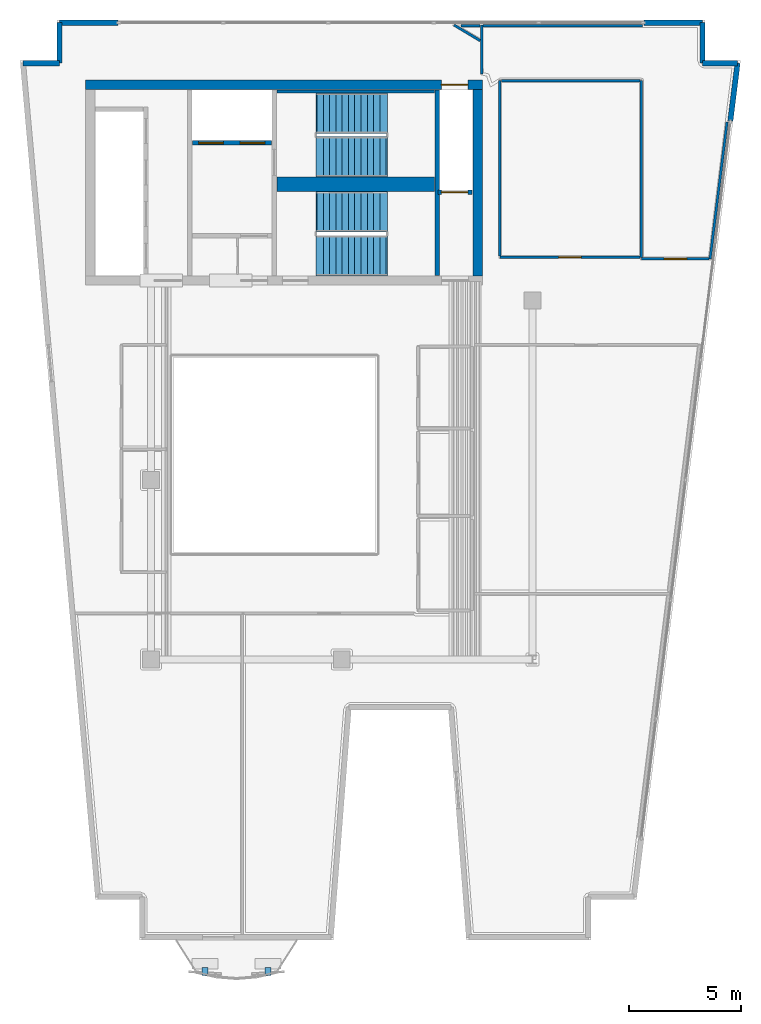
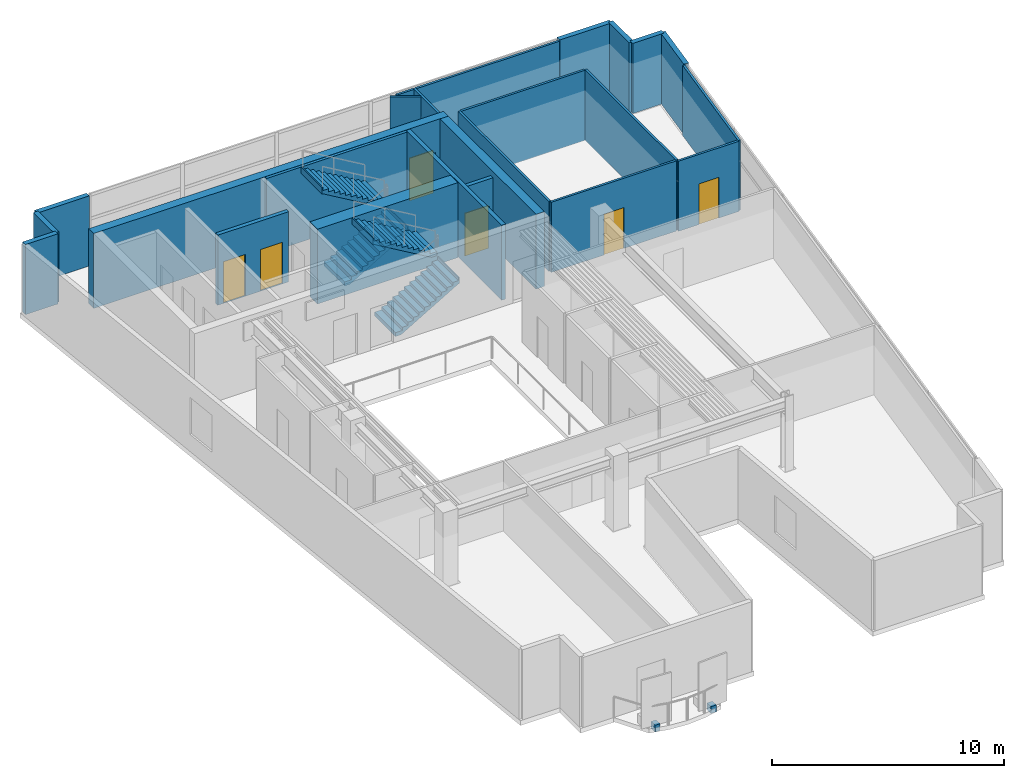
# One storey, part 5 of 7: 24 walls, 6 doors, 4 stair flights, 2 discrete accessories, 6 openings, 2 elements without a shape of their own.
"""IFC4 building model written with IfcOpenShell, lengths in metres."""

import ifcopenshell
import ifcopenshell.guid

model = None  # the IFC model being written
_history = None  # IfcOwnerHistory: only IFC2X3 demands one
_inside = {}  # id of a spatial element -> (the spatial element, [elements in it])
_under = {}  # id of a project, library or spatial element -> (it, [spatial elements below it])
_declared = {}  # id of a project -> (the project, [libraries it declares])
_typed = {}  # id of a type object -> (the type object, [elements of that type])
_made_of = {}  # id of a material, layer set ... -> (it, [elements and type objects made of it])


def new_model(schema):
    """Start an empty IFC model of exactly this schema.

    Asked for "IFC4X3", IfcOpenShell would pick the latest addendum, in which some entities
    have other attributes; the version numbers below select the first issue.
    IFC2X3 requires an IfcOwnerHistory on every rooted entity: one is made here for all.
    """
    global model, _history
    if schema == "IFC4X3":
        model = ifcopenshell.file(schema_version=(4, 3, 0, 0))
    else:
        model = ifcopenshell.file(schema=schema)
    _inside.clear()
    _under.clear()
    _declared.clear()
    _typed.clear()
    _made_of.clear()
    _history = None
    if model.schema == "IFC2X3":
        org = make("IfcOrganization", Name="unknown")
        user = make(
            "IfcPersonAndOrganization",
            ThePerson=make("IfcPerson", FamilyName="unknown"),
            TheOrganization=org,
        )
        app = make(
            "IfcApplication",
            ApplicationDeveloper=org,
            Version="unknown",
            ApplicationFullName="unknown",
            ApplicationIdentifier="unknown",
        )
        _history = make(
            "IfcOwnerHistory",
            OwningUser=user,
            OwningApplication=app,
            ChangeAction="ADDED",
            CreationDate=0,
        )
    return model


def make(cls, **values):
    """One entity of the class cls with the attributes given. An attribute that is None is left unset."""
    return model.create_entity(
        cls, **{name: value for name, value in values.items() if value is not None}
    )


def rooted(cls, **values):
    """An entity with a GlobalId (a new one), such as an element, a storey or a relation."""
    return make(cls, GlobalId=ifcopenshell.guid.new(), OwnerHistory=_history, **values)


def si_unit(unit_type, name, prefix=None):
    """IfcSIUnit, for example si_unit("LENGTHUNIT", "METRE", prefix="MILLI")."""
    return make("IfcSIUnit", UnitType=unit_type, Prefix=prefix, Name=name)


def assignment(units):
    """IfcUnitAssignment: the units of a project."""
    return None if units is None else make("IfcUnitAssignment", Units=units)


def point(xyz):
    """IfcCartesianPoint."""
    return None if xyz is None else make("IfcCartesianPoint", Coordinates=xyz)


def direction(xyz):
    """IfcDirection."""
    return None if xyz is None else make("IfcDirection", DirectionRatios=xyz)


def frame(location, z_axis=None, x_axis=None):
    """IfcAxis2Placement3D, a coordinate frame: its origin and axes. An axis left out is left unset."""
    return make(
        "IfcAxis2Placement3D",
        Location=point(location),
        Axis=direction(z_axis),
        RefDirection=direction(x_axis),
    )


def frame_2d(location, x_axis=None):
    """IfcAxis2Placement2D, a coordinate frame in the plane: its origin and x axis."""
    return make(
        "IfcAxis2Placement2D", Location=point(location), RefDirection=direction(x_axis)
    )


def origin():
    """The frame at (0, 0, 0) with its axes left unset."""
    return frame((0.0, 0.0, 0.0))


def origin_2d():
    """The frame at (0, 0) in the plane with its x axis left unset."""
    return frame_2d((0.0, 0.0))


def place(relative_to, where):
    """IfcLocalPlacement: puts the frame where relative to a parent placement (None: the world)."""
    return make(
        "IfcLocalPlacement", PlacementRelTo=relative_to, RelativePlacement=where
    )


def context(
    kind, dimensions, precision=None, world=None, true_north=None, identifier=None
):
    """IfcGeometricRepresentationContext, for example the 3D "Model" context."""
    return make(
        "IfcGeometricRepresentationContext",
        ContextIdentifier=identifier,
        ContextType=kind,
        CoordinateSpaceDimension=dimensions,
        Precision=precision,
        WorldCoordinateSystem=world,
        TrueNorth=true_north,
    )


def subcontext(parent, identifier, kind, view, scale=None):
    """IfcGeometricRepresentationSubContext, for example "Body" below "Model"."""
    return make(
        "IfcGeometricRepresentationSubContext",
        ContextIdentifier=identifier,
        ContextType=kind,
        ParentContext=parent,
        TargetScale=scale,
        TargetView=view,
    )


def project(units=None, contexts=None):
    """IfcProject with its units and contexts."""
    return rooted(
        "IfcProject",
        Name="project",
        RepresentationContexts=contexts,
        UnitsInContext=assignment(units),
    )


def spatial(cls, under=None, at=None, **own):
    """A site, building, storey or space (cls), placed at a placement, below another one or the project."""
    s = rooted(cls, ObjectPlacement=at, **own)
    if under is not None:
        _under.setdefault(under.id(), (under, []))[1].append(s)
    return s


def polyline(points):
    """IfcPolyline through the points."""
    return make("IfcPolyline", Points=[point(p) for p in points])


def profile(cls, at=None, kind="AREA", **sizes):
    """A parametric profile (cls). Its sizes go by their IFC names, for example OverallWidth=200.0."""
    return make(cls, ProfileType=kind, Position=at, **sizes)


def rectangle(**sizes):
    """IfcRectangleProfileDef."""
    return profile("IfcRectangleProfileDef", **sizes)


def outline(outer, holes=None, kind="AREA"):
    """IfcArbitraryClosedProfileDef: a profile drawn as a closed curve; with holes, ...WithVoids."""
    if holes is None:
        return make("IfcArbitraryClosedProfileDef", ProfileType=kind, OuterCurve=outer)
    return make(
        "IfcArbitraryProfileDefWithVoids",
        ProfileType=kind,
        OuterCurve=outer,
        InnerCurves=holes,
    )


def extrude(swept, where, along, depth):
    """IfcExtrudedAreaSolid: the profile swept, set in the frame where, extruded along a direction by depth."""
    return make(
        "IfcExtrudedAreaSolid",
        SweptArea=swept,
        Position=where,
        ExtrudedDirection=direction(along),
        Depth=depth,
    )


def shape(context_of_items, identifier, shape_type, items):
    """IfcShapeRepresentation: the items that make up one representation, for example the "Body"."""
    return make(
        "IfcShapeRepresentation",
        ContextOfItems=context_of_items,
        RepresentationIdentifier=identifier,
        RepresentationType=shape_type,
        Items=items,
    )


def material(Name=None, Category=None):
    """IfcMaterial."""
    return make("IfcMaterial", Name=Name, Category=Category)


def layer(
    of_material, thickness, ventilated=None, Name=None, Category=None, Priority=None
):
    """IfcMaterialLayer: one layer of a wall or slab, of a material (None: an air gap)."""
    return make(
        "IfcMaterialLayer",
        Material=of_material,
        LayerThickness=thickness,
        IsVentilated=ventilated,
        Name=Name,
        Category=Category,
        Priority=Priority,
    )


def layer_set(layers, Name=None):
    """IfcMaterialLayerSet."""
    return make("IfcMaterialLayerSet", MaterialLayers=layers, LayerSetName=Name)


def made_of(thing, what):
    """Note that an element or type object is made of a material, layer set ...; save() writes the relation."""
    if what is not None:
        _made_of.setdefault(what.id(), (what, []))[1].append(thing)
    return thing


def type_object(cls, material=None, **own):
    """A type object (cls), such as IfcWallType, which elements share."""
    return made_of(rooted(cls, **own), material)


def element(
    cls,
    number,
    at=None,
    inside=None,
    cuts=None,
    type_object=None,
    material=None,
    context=None,
    identifier="Body",
    shape_type=None,
    held_by="IfcProductDefinitionShape",
    body=None,
    shapes=None,
    **own,
):
    """One element of the class cls, such as IfcWall. Its Tag is "e" and its number.

    at: its placement. inside: the storey or other place that contains it. cuts: it is an
    opening in that element (IfcRelVoidsElement). A single representation is given by context,
    identifier, shape_type and body (its items); several are given by shapes. held_by: the class
    of the entity that holds the representations. save() writes the other relations.
    """
    e = rooted(cls, Tag="e%d" % number, ObjectPlacement=at, **own)
    if body is not None:
        shapes = [shape(context, identifier, shape_type, body)]
    if shapes is not None:
        e.Representation = make(held_by, Representations=shapes)
    if inside is not None:
        _inside.setdefault(inside.id(), (inside, []))[1].append(e)
    if cuts is not None:
        rooted(
            "IfcRelVoidsElement", RelatingBuildingElement=cuts, RelatedOpeningElement=e
        )
    if type_object is not None:
        _typed.setdefault(type_object.id(), (type_object, []))[1].append(e)
    return made_of(e, material)


def fill(opening, filler):
    """IfcRelFillsElement: the door or window that sits in an opening."""
    return rooted(
        "IfcRelFillsElement",
        RelatingOpeningElement=opening,
        RelatedBuildingElement=filler,
    )


def aggregate(whole, parts):
    """IfcRelAggregates: a whole, such as a stair, and the parts it consists of."""
    return rooted("IfcRelAggregates", RelatingObject=whole, RelatedObjects=parts)


def save(model, path):
    """Write the relations noted so far, then the file.

    IfcRelAggregates (storeys below a building ...), IfcRelContainedInSpatialStructure (elements
    in a storey), IfcRelDefinesByType, IfcRelAssociatesMaterial and IfcRelDeclares: one each for
    every whole, place, type object, material and project.
    """
    for whole, parts in _under.values():
        aggregate(whole, parts)
    for where, things in _inside.values():
        rooted(
            "IfcRelContainedInSpatialStructure",
            RelatedElements=things,
            RelatingStructure=where,
        )
    for kind, things in _typed.values():
        rooted("IfcRelDefinesByType", RelatedObjects=things, RelatingType=kind)
    for what, things in _made_of.values():
        rooted("IfcRelAssociatesMaterial", RelatedObjects=things, RelatingMaterial=what)
    for by, libraries in _declared.values():
        rooted("IfcRelDeclares", RelatingContext=by, RelatedDefinitions=libraries)
    model.write(path)


model = new_model("IFC4")

# Units and contexts
model_context = context("Model", 3, precision=1e-05, world=origin(), true_north=direction((0.0, 1.0)))
body_context = subcontext(model_context, "Body", "Model", "MODEL_VIEW")
ifc_project = project(units=[si_unit("LENGTHUNIT", "METRE"), si_unit("AREAUNIT", "SQUARE_METRE"), si_unit("VOLUMEUNIT", "CUBIC_METRE"), si_unit("PLANEANGLEUNIT", "RADIAN"), si_unit("MASSUNIT", "GRAM", prefix="KILO")], contexts=[model_context])

# Site, building, storey
site_placement = place(None, origin())
site = spatial("IfcSite", under=ifc_project, at=site_placement, CompositionType="ELEMENT")
building_placement = place(site_placement, origin())
building = spatial("IfcBuilding", under=site, at=building_placement, Name="Caeloran Harvest Quay", CompositionType="ELEMENT")
storey_placement = place(building_placement, frame((0.0, 0.0, 264.60009765625)))
storey = spatial("IfcBuildingStorey", under=building, at=storey_placement, Name="L63", CompositionType="ELEMENT", Elevation=264.60009765625)

# Walls
ifc_material_1 = material(Name="Precast concrete C50/60", Category="concrete")
ifc_layer_1 = layer(ifc_material_1, 0.239990234375, Name="Precast concrete C50/60")
ifc_layer_set_1 = layer_set([ifc_layer_1], Name="Precast concrete C50/60")
wall_type_1 = type_object("IfcWallType", Name="ENV-WALL-EW-240", PredefinedType="STANDARD", material=ifc_layer_set_1)
wall_1_placement = place(storey_placement, frame((2.793212890625, 41.580078125, 0.0), z_axis=(0.0, 0.0, 1.0), x_axis=(1.0, 0.0, 0.0)))
element("IfcWall", 1, at=wall_1_placement, inside=storey, type_object=wall_type_1, Name="L63 Exterior Precast Concrete Facade Wall 4", PredefinedType="STANDARD", context=body_context, shape_type="SweptSolid", body=[
    extrude(rectangle(XDim=1.626708984375, YDim=0.239990234375, at=frame_2d((0.8134765625, 0.0))), origin(), (0.0, 0.0, 1.0), 3.699951171875),
])
wall_2_placement = place(storey_placement, frame((4.419921875, 41.580078125, 0.0), z_axis=(0.0, 0.0, 1.0), x_axis=(0.0, 1.0, 0.0)))
element("IfcWall", 2, at=wall_2_placement, inside=storey, type_object=wall_type_1, Name="L63 Exterior Precast Concrete Facade Wall 5", PredefinedType="STANDARD", context=body_context, shape_type="SweptSolid", body=[
    extrude(rectangle(XDim=1.7998046875, YDim=0.239990234375, at=frame_2d((0.89990234375, 0.0))), origin(), (0.0, 0.0, 1.0), 3.699951171875),
])
for number, where, z_axis, x_axis, name in (
    (3, (4.419921875, 43.3798828125, 0.0), (0.0, 0.0, 1.0), (1.0, 0.0, 0.0), "L63 Exterior Facade Corner Pier Wall 6A"),
    (4, (30.47998046875, 43.3798828125, 0.0), (0.0, 0.0, 1.0), (1.0, 0.0, 0.0), "L63 Exterior Facade Corner Pier Wall 6B"),
):
    element("IfcWall", number, at=place(storey_placement, frame(where, z_axis=z_axis, x_axis=x_axis)), inside=storey, type_object=wall_type_1, Name=name, PredefinedType="STANDARD", context=body_context, shape_type="SweptSolid", body=[
        extrude(rectangle(XDim=2.60009765625, YDim=0.239990234375, at=frame_2d((1.300048828125, 0.0))), origin(), (0.0, 0.0, 1.0), 3.699951171875),
    ])
wall_3_placement = place(storey_placement, frame((33.080078125, 43.3798828125, 0.0), z_axis=(0.0, 0.0, 1.0), x_axis=(0.0, -1.0, 0.0)))
element("IfcWall", 5, at=wall_3_placement, inside=storey, type_object=wall_type_1, Name="L63 Exterior Precast Concrete Facade Wall 7", PredefinedType="STANDARD", context=body_context, shape_type="SweptSolid", body=[
    extrude(rectangle(XDim=1.7998046875, YDim=0.239990234375, at=frame_2d((0.89990234375, 0.0))), origin(), (0.0, 0.0, 1.0), 3.699951171875),
])
wall_4_placement = place(storey_placement, frame((33.080078125, 41.580078125, 0.0), z_axis=(0.0, 0.0, 1.0), x_axis=(1.0, 0.0, 0.0)))
element("IfcWall", 6, at=wall_4_placement, inside=storey, type_object=wall_type_1, Name="L63 Exterior Precast Concrete Facade Wall 8", PredefinedType="STANDARD", context=body_context, shape_type="SweptSolid", body=[
    extrude(rectangle(XDim=1.560791015625, YDim=0.239990234375, at=frame_2d((0.7802734375, 0.0))), origin(), (0.0, 0.0, 1.0), 3.699951171875),
])
wall_5_placement = place(storey_placement, frame((34.640869140625, 41.580078125, 0.0), z_axis=(0.0, 0.0, 1.0), x_axis=(-0.123191073593, -0.992382970121, 0.0)))
element("IfcWall", 7, at=wall_5_placement, inside=storey, type_object=wall_type_1, Name="L63 Exterior Facade Corner Pier Wall 9A", PredefinedType="STANDARD", context=body_context, shape_type="SweptSolid", body=[
    extrude(rectangle(XDim=2.60009765625, YDim=0.239990234375, at=frame_2d((1.300048828125, 0.0))), origin(), (0.0, 0.0, 1.0), 3.699951171875),
])
ifc_material_2 = material(Name="Single-Stud Acoustic Gypsum Office Partition", Category="gypsum")
ifc_layer_2 = layer(ifc_material_2, 0.112060546875, Name="Single-Stud Acoustic Gypsum Office Partition")
ifc_layer_set_2 = layer_set([ifc_layer_2], Name="Single-Stud Acoustic Gypsum Office Partition")
wall_type_2 = type_object("IfcWallType", Name="INT-WALL-PW-112", PredefinedType="PARTITIONING", material=ifc_layer_set_2)
wall_6_placement = place(storey_placement, frame((30.35009765625, 40.800048828125, 0.0), z_axis=(0.0, 0.0, 1.0), x_axis=(0.0, -1.0, 0.0)))
element("IfcWall", 8, at=wall_6_placement, inside=storey, type_object=wall_type_2, Name="L63 Bioinformatics and Crop Phenotyping Laboratory Partition Wall", PredefinedType="PARTITIONING", context=body_context, shape_type="SweptSolid", body=[
    extrude(rectangle(XDim=7.880126953125, YDim=0.112060546875, at=frame_2d((3.93994140625, 0.0))), origin(), (0.0, 0.0, 1.0), 3.699951171875),
])

# Wall, opening, door
wall_7_placement = place(storey_placement, frame((30.2890625, 32.919921875, 0.0), z_axis=(0.0, 0.0, 1.0), x_axis=(-1.0, 0.0, 0.0)))
wall_7 = element("IfcWall", 9, at=wall_7_placement, inside=storey, type_object=wall_type_2, Name="L63 Bioinformatics and Crop Phenotyping Laboratory Partition Wall", PredefinedType="PARTITIONING", context=body_context, shape_type="SweptSolid", body=[
    extrude(rectangle(XDim=6.239013671875, YDim=0.112060546875, at=frame_2d((3.11962890625, 0.0))), origin(), (0.0, 0.0, 1.0), 3.699951171875),
])
opening_1_placement = place(wall_7_placement, frame((2.619384765625, 0.0, 0.0)))
opening_1 = element("IfcOpeningElement", 10, at=opening_1_placement, cuts=wall_7, Name="Opening ID-01", PredefinedType="OPENING", context=body_context, shape_type="SweptSolid", body=[
    extrude(rectangle(XDim=1.0, YDim=2.14990234375, at=frame_2d((0.5, 1.074951171875))), frame((0.0, 0.06591796875, 0.0), z_axis=(0.0, -1.0, 0.0), x_axis=(1.0, 0.0, 0.0)), (0.0, 0.0, 1.0), 0.132080078125),
])
ifc_material_3 = material(Name="FSC Solid-Core Ash Timber and Acoustic Seal", Category="wood")
door_type_1 = type_object("IfcDoorType", Name="INTDOOR-ID-01", OperationType="NOTDEFINED", PredefinedType="DOOR", material=ifc_material_3)
door_1_placement = place(opening_1_placement, origin())
door_1 = element("IfcDoor", 11, at=door_1_placement, inside=storey, type_object=door_type_1, Name="L63 Bioinformatics and Crop Phenotyping Laboratory Access Door", OperationType="SINGLE_SWING_RIGHT", OverallHeight=2.14990234375, OverallWidth=1.0, PredefinedType="DOOR", context=body_context, shape_type="SweptSolid", body=[
    extrude(rectangle(XDim=1.0, YDim=2.14990234375, at=frame_2d((0.5, 1.074951171875))), frame((0.0, 0.02490234375, 0.0), z_axis=(0.0, -1.0, 0.0), x_axis=(1.0, 0.0, 0.0)), (0.0, 0.0, 1.0), 0.050048828125),
])
fill(opening_1, door_1)

# Walls
wall_8_placement = place(storey_placement, frame((24.050048828125, 32.98095703125, 0.0), z_axis=(0.0, 0.0, 1.0), x_axis=(0.0, 1.0, 0.0)))
element("IfcWall", 12, at=wall_8_placement, inside=storey, type_object=wall_type_2, Name="L63 Bioinformatics and Crop Phenotyping Laboratory Partition Wall", PredefinedType="PARTITIONING", context=body_context, shape_type="SweptSolid", body=[
    extrude(rectangle(XDim=7.819091796875, YDim=0.112060546875, at=frame_2d((3.90966796875, 0.0))), origin(), (0.0, 0.0, 1.0), 3.699951171875),
])
wall_9_placement = place(storey_placement, frame((24.111083984375, 40.800048828125, 0.0), z_axis=(0.0, 0.0, 1.0), x_axis=(1.0, 0.0, 0.0)))
element("IfcWall", 13, at=wall_9_placement, inside=storey, type_object=wall_type_2, Name="L63 Bioinformatics and Crop Phenotyping Laboratory Partition Wall", PredefinedType="PARTITIONING", context=body_context, shape_type="SweptSolid", body=[
    extrude(rectangle(XDim=6.177978515625, YDim=0.112060546875, at=frame_2d((3.0888671875, 0.0))), origin(), (0.0, 0.0, 1.0), 3.699951171875),
])
wall_10_placement = place(storey_placement, frame((23.22998046875, 41.093017578125, 0.0), z_axis=(0.0, 0.0, 1.0), x_axis=(0.0, 1.0, 0.0)))
element("IfcWall", 14, at=wall_10_placement, inside=storey, type_object=wall_type_2, Name="Private Dining Kitchen Partition Wall", PredefinedType="PARTITIONING", context=body_context, shape_type="SweptSolid", body=[
    extrude(rectangle(XDim=2.181884765625, YDim=0.112060546875, at=frame_2d((1.0908203125, 0.0))), origin(), (0.0, 0.0, 1.0), 3.699951171875),
])
wall_11_placement = place(storey_placement, frame((23.1689453125, 42.580078125, 0.0), z_axis=(0.0, 0.0, 1.0), x_axis=(-0.857763736618, 0.514044134431, 0.0)))
element("IfcWall", 15, at=wall_11_placement, inside=storey, type_object=wall_type_2, Name="Private Dining Kitchen Partition Wall", PredefinedType="PARTITIONING", context=body_context, shape_type="SweptSolid", body=[
    extrude(rectangle(XDim=1.3515625, YDim=0.112060546875, at=frame_2d((0.67578125, 0.0))), origin(), (0.0, 0.0, 1.0), 3.699951171875),
])
wall_12_placement = place(storey_placement, frame((22.30908203125, 43.239990234375, 0.0), z_axis=(0.0, 0.0, 1.0), x_axis=(1.0, 0.0, 0.0)))
element("IfcWall", 16, at=wall_12_placement, inside=storey, type_object=wall_type_2, Name="Private Dining Kitchen Partition Wall", PredefinedType="PARTITIONING", context=body_context, shape_type="SweptSolid", body=[
    extrude(rectangle(XDim=0.85986328125, YDim=0.112060546875, at=frame_2d((0.429931640625, 0.0))), origin(), (0.0, 0.0, 1.0), 3.699951171875),
])
wall_13_placement = place(storey_placement, frame((23.291015625, 43.239990234375, 0.0), z_axis=(0.0, 0.0, 1.0), x_axis=(1.0, 0.0, 0.0)))
element("IfcWall", 17, at=wall_13_placement, inside=storey, type_object=wall_type_2, Name="Private Dining Kitchen Partition Wall", PredefinedType="PARTITIONING", context=body_context, shape_type="SweptSolid", body=[
    extrude(rectangle(XDim=7.1240234375, YDim=0.112060546875, at=frame_2d((3.56201171875, 0.0))), origin(), (0.0, 0.0, 1.0), 3.699951171875),
])
wall_14_placement = place(storey_placement, frame((34.17333984375, 38.95263671875, 0.0), z_axis=(0.0, 0.0, 1.0), x_axis=(-0.123155137196, -0.992387430484, 0.0)))
element("IfcWall", 18, at=wall_14_placement, inside=storey, type_object=wall_type_2, Name="Private Dining Kitchen Partition Wall", PredefinedType="PARTITIONING", context=body_context, shape_type="SweptSolid", body=[
    extrude(rectangle(XDim=6.1494140625, YDim=0.112060546875, at=frame_2d((3.07470703125, 0.0))), origin(), (0.0, 0.0, 1.0), 3.699951171875),
])

# Wall, opening, door
wall_15_placement = place(storey_placement, frame((33.37548828125, 32.85009765625, 0.0), z_axis=(0.0, 0.0, 1.0), x_axis=(-1.0, 0.0, 0.0)))
wall_15 = element("IfcWall", 19, at=wall_15_placement, inside=storey, type_object=wall_type_2, Name="Private Dining Kitchen Partition Wall", PredefinedType="PARTITIONING", context=body_context, shape_type="SweptSolid", body=[
    extrude(rectangle(XDim=3.015380859375, YDim=0.112060546875, at=frame_2d((1.5078125, 0.0))), origin(), (0.0, 0.0, 1.0), 3.699951171875),
])
opening_2_placement = place(wall_15_placement, frame((1.0078125, 0.0, 0.0)))
opening_2 = element("IfcOpeningElement", 20, at=opening_2_placement, cuts=wall_15, Name="Opening ID-01", PredefinedType="OPENING", context=body_context, shape_type="SweptSolid", body=[
    extrude(rectangle(XDim=1.0, YDim=2.14990234375, at=frame_2d((0.5, 1.074951171875))), frame((0.0, 0.06591796875, 0.0), z_axis=(0.0, -1.0, 0.0), x_axis=(1.0, 0.0, 0.0)), (0.0, 0.0, 1.0), 0.132080078125),
])
door_2_placement = place(opening_2_placement, origin())
door_2 = element("IfcDoor", 21, at=door_2_placement, inside=storey, type_object=door_type_1, Name="Private Dining Kitchen Access Door", OperationType="SINGLE_SWING_LEFT", OverallHeight=2.14990234375, OverallWidth=1.0, PredefinedType="DOOR", context=body_context, shape_type="SweptSolid", body=[
    extrude(rectangle(XDim=1.0, YDim=2.14990234375, at=frame_2d((0.5, 1.074951171875))), frame((0.0, 0.02490234375, 0.0), z_axis=(0.0, -1.0, 0.0), x_axis=(1.0, 0.0, 0.0)), (0.0, 0.0, 1.0), 0.050048828125),
])
fill(opening_2, door_2)

# Wall, openings, doors
ifc_material_4 = material(Name="Concrete C50/60", Category="concrete")
ifc_layer_3 = layer(ifc_material_4, 0.199951171875, Name="Concrete C50/60")
ifc_layer_set_3 = layer_set([ifc_layer_3], Name="Concrete C50/60")
wall_type_3 = type_object("IfcWallType", Name="INT-WALL-SW-200", PredefinedType="PARTITIONING", material=ifc_layer_set_3)
wall_16_placement = place(storey_placement, frame((10.340087890625, 38.02001953125, 0.0), z_axis=(0.0, 0.0, 1.0), x_axis=(1.0, 0.0, 0.0)))
wall_16 = element("IfcWall", 22, at=wall_16_placement, inside=storey, type_object=wall_type_3, Name="L63 Firefighting Lift Shaft Wall", PredefinedType="PARTITIONING", context=body_context, shape_type="SweptSolid", body=[
    extrude(rectangle(XDim=3.539794921875, YDim=0.199951171875, at=frame_2d((1.77001953125, 0.0))), origin(), (0.0, 0.0, 1.0), 3.699951171875),
])
opening_3_placement = place(wall_16_placement, frame((0.284912109375, 0.0, 0.0)))
opening_3 = element("IfcOpeningElement", 23, at=opening_3_placement, cuts=wall_16, Name="Opening LD-01", PredefinedType="OPENING", context=body_context, shape_type="SweptSolid", body=[
    extrude(rectangle(XDim=1.10009765625, YDim=2.199951171875, at=frame_2d((0.550048828125, 1.10009765625))), frame((0.0, 0.10986328125, 0.0), z_axis=(0.0, -1.0, 0.0), x_axis=(1.0, 0.0, 0.0)), (0.0, 0.0, 1.0), 0.219970703125),
])
opening_4_placement = place(wall_16_placement, frame((2.135009765625, 0.0, 0.0)))
opening_4 = element("IfcOpeningElement", 24, at=opening_4_placement, cuts=wall_16, Name="Opening LD-01", PredefinedType="OPENING", context=body_context, shape_type="SweptSolid", body=[
    extrude(rectangle(XDim=1.10009765625, YDim=2.199951171875, at=frame_2d((0.550048828125, 1.10009765625))), frame((0.0, 0.10986328125, 0.0), z_axis=(0.0, -1.0, 0.0), x_axis=(1.0, 0.0, 0.0)), (0.0, 0.0, 1.0), 0.219970703125),
])
ifc_material_5 = material(Name="Stainless Steel Grade 316", Category="steel")
door_type_2 = type_object("IfcDoorType", Name="INTDOOR-LD-01", OperationType="NOTDEFINED", PredefinedType="DOOR", material=ifc_material_5)
door_3_placement = place(opening_3_placement, origin())
door_3 = element("IfcDoor", 25, at=door_3_placement, inside=storey, type_object=door_type_2, Name="Lift FF-1 Sliding Landing Door (L63)", OperationType="DOUBLE_DOOR_SLIDING", OverallHeight=2.199951171875, OverallWidth=1.10009765625, PredefinedType="DOOR", context=body_context, shape_type="SweptSolid", body=[
    extrude(rectangle(XDim=1.10009765625, YDim=2.199951171875, at=frame_2d((0.550048828125, 1.10009765625))), frame((0.0, 0.02490234375, 0.0), z_axis=(0.0, -1.0, 0.0), x_axis=(1.0, 0.0, 0.0)), (0.0, 0.0, 1.0), 0.050048828125),
])
fill(opening_3, door_3)
door_4_placement = place(opening_4_placement, origin())
door_4 = element("IfcDoor", 26, at=door_4_placement, inside=storey, type_object=door_type_2, Name="Lift FF-2 Sliding Landing Door (L63)", OperationType="DOUBLE_DOOR_SLIDING", OverallHeight=2.199951171875, OverallWidth=1.10009765625, PredefinedType="DOOR", context=body_context, shape_type="SweptSolid", body=[
    extrude(rectangle(XDim=1.10009765625, YDim=2.199951171875, at=frame_2d((0.550048828125, 1.10009765625))), frame((0.0, 0.02490234375, 0.0), z_axis=(0.0, -1.0, 0.0), x_axis=(1.0, 0.0, 0.0)), (0.0, 0.0, 1.0), 0.050048828125),
])
fill(opening_4, door_4)

# Wall, opening, door
wall_17_placement = place(storey_placement, frame((21.300048828125, 35.820068359375, 0.0), z_axis=(0.0, 0.0, 1.0), x_axis=(1.0, 0.0, 0.0)))
wall_17 = element("IfcWall", 27, at=wall_17_placement, inside=storey, type_object=wall_type_3, Name="L63 Service Lift SV-2 Shaft Wall", PredefinedType="PARTITIONING", context=body_context, shape_type="SweptSolid", body=[
    extrude(rectangle(XDim=1.5, YDim=0.199951171875, at=frame_2d((0.75, 0.0))), origin(), (0.0, 0.0, 1.0), 3.699951171875),
])
opening_5_placement = place(wall_17_placement, frame((0.14501953125, 0.0, 0.0)))
opening_5 = element("IfcOpeningElement", 28, at=opening_5_placement, cuts=wall_17, Name="Opening LD-02", PredefinedType="OPENING", context=body_context, shape_type="SweptSolid", body=[
    extrude(rectangle(XDim=1.179931640625, YDim=2.25, at=frame_2d((0.58984375, 1.125))), frame((0.0, 0.10986328125, 0.0), z_axis=(0.0, -1.0, 0.0), x_axis=(1.0, 0.0, 0.0)), (0.0, 0.0, 1.0), 0.219970703125),
])
door_type_3 = type_object("IfcDoorType", Name="INTDOOR-LD-02", OperationType="NOTDEFINED", PredefinedType="DOOR", material=ifc_material_5)
door_5_placement = place(opening_5_placement, origin())
door_5 = element("IfcDoor", 29, at=door_5_placement, inside=storey, type_object=door_type_3, Name="Lift SV-2 Sliding Landing Door (L63)", OperationType="DOUBLE_DOOR_SLIDING", OverallHeight=2.25, OverallWidth=1.179931640625, PredefinedType="DOOR", context=body_context, shape_type="SweptSolid", body=[
    extrude(rectangle(XDim=1.179931640625, YDim=2.25, at=frame_2d((0.58984375, 1.125))), frame((0.0, 0.02490234375, 0.0), z_axis=(0.0, -1.0, 0.0), x_axis=(1.0, 0.0, 0.0)), (0.0, 0.0, 1.0), 0.050048828125),
])
fill(opening_5, door_5)

ifc_material_6 = material(Name="Concrete C60/75", Category="concrete")
ifc_layer_4 = layer(ifc_material_6, 0.419921875, Name="Concrete C60/75")
ifc_layer_set_4 = layer_set([ifc_layer_4], Name="Concrete C60/75")
wall_type_4 = type_object("IfcWallType", Name="STR-WALL-CW-420", PredefinedType="SHEAR", material=ifc_layer_set_4)
wall_18_placement = place(storey_placement, frame((5.580078125, 40.610107421875, 0.0), z_axis=(0.0, 0.0, 1.0), x_axis=(1.0, 0.0, 0.0)))
wall_18 = element("IfcWall", 30, at=wall_18_placement, inside=storey, type_object=wall_type_4, Name="L63 Rear Core Shear Wall N", PredefinedType="SHEAR", context=body_context, shape_type="SweptSolid", body=[
    extrude(rectangle(XDim=17.68994140625, YDim=0.419921875, at=frame_2d((8.844970703125, 0.0))), origin(), (0.0, 0.0, 1.0), 3.949951171875),
])
opening_6_placement = place(wall_18_placement, frame((15.864990234375, 0.0, 0.0)))
opening_6 = element("IfcOpeningElement", 31, at=opening_6_placement, cuts=wall_18, Name="Opening LD-02", PredefinedType="OPENING", context=body_context, shape_type="SweptSolid", body=[
    extrude(rectangle(XDim=1.179931640625, YDim=2.25, at=frame_2d((0.58984375, 1.125))), frame((0.0, 0.219970703125, 0.0), z_axis=(0.0, -1.0, 0.0), x_axis=(1.0, 0.0, 0.0)), (0.0, 0.0, 1.0), 0.43994140625),
])
door_6_placement = place(opening_6_placement, origin())
door_6 = element("IfcDoor", 32, at=door_6_placement, inside=storey, type_object=door_type_3, Name="Lift SV-1 Sliding Landing Door (L63)", OperationType="DOUBLE_DOOR_SLIDING", OverallHeight=2.25, OverallWidth=1.179931640625, PredefinedType="DOOR", context=body_context, shape_type="SweptSolid", body=[
    extrude(rectangle(XDim=1.179931640625, YDim=2.25, at=frame_2d((0.58984375, 1.125))), frame((0.0, 0.02490234375, 0.0), z_axis=(0.0, -1.0, 0.0), x_axis=(1.0, 0.0, 0.0)), (0.0, 0.0, 1.0), 0.050048828125),
])
fill(opening_6, door_6)

# Walls
wall_19_placement = place(storey_placement, frame((23.06005859375, 32.10009765625, 0.0), z_axis=(0.0, 0.0, 1.0), x_axis=(0.0, 1.0, 0.0)))
element("IfcWall", 33, at=wall_19_placement, inside=storey, type_object=wall_type_4, Name="L63 Rear Core Shear Wall E", PredefinedType="SHEAR", context=body_context, shape_type="SweptSolid", body=[
    extrude(rectangle(XDim=8.2998046875, YDim=0.419921875, at=frame_2d((4.14990234375, 0.0))), origin(), (0.0, 0.0, 1.0), 3.949951171875),
])
ifc_layer_5 = layer(ifc_material_6, 0.64990234375, Name="Concrete C60/75")
ifc_layer_set_5 = layer_set([ifc_layer_5], Name="Concrete C60/75")
wall_type_5 = type_object("IfcWallType", Name="STR-WALL-CW-650", PredefinedType="SHEAR", material=ifc_layer_set_5)
wall_20_placement = place(storey_placement, frame((14.1201171875, 36.175048828125, 0.0), z_axis=(0.0, 0.0, 1.0), x_axis=(1.0, 0.0, 0.0)))
element("IfcWall", 34, at=wall_20_placement, inside=storey, type_object=wall_type_5, Name="L63 Core Stairs Dividing Shear Wall", PredefinedType="SHEAR", context=body_context, shape_type="SweptSolid", body=[
    extrude(rectangle(XDim=7.009765625, YDim=0.64990234375, at=frame_2d((3.5048828125, 0.0))), origin(), (0.0, 0.0, 1.0), 3.949951171875),
])
ifc_layer_6 = layer(ifc_material_6, 0.139892578125, Name="Concrete C60/75")
ifc_layer_set_6 = layer_set([ifc_layer_6], Name="Concrete C60/75")
wall_type_6 = type_object("IfcWallType", Name="STR-WALL-SW-140", PredefinedType="SHEAR", material=ifc_layer_set_6)
wall_21_placement = place(storey_placement, frame((14.1201171875, 40.320068359375, 0.0), z_axis=(0.0, 0.0, 1.0), x_axis=(1.0, 0.0, 0.0)))
element("IfcWall", 35, at=wall_21_placement, inside=storey, type_object=wall_type_6, Name="L63 Core Stair ST-C1 North Bearing Shear Wall", PredefinedType="SHEAR", context=body_context, shape_type="SweptSolid", body=[
    extrude(rectangle(XDim=7.009765625, YDim=0.139892578125, at=frame_2d((3.5048828125, 0.0))), origin(), (0.0, 0.0, 1.0), 3.949951171875),
])
ifc_layer_7 = layer(ifc_material_6, 0.199951171875, Name="Concrete C60/75")
ifc_layer_set_7 = layer_set([ifc_layer_7], Name="Concrete C60/75")
wall_type_7 = type_object("IfcWallType", Name="STR-WALL-SW-200", PredefinedType="SHEAR", material=ifc_layer_set_7)
wall_22_placement = place(storey_placement, frame((21.25, 32.1201171875, 0.0), z_axis=(0.0, 0.0, 1.0), x_axis=(0.0, 1.0, 0.0)))
element("IfcWall", 36, at=wall_22_placement, inside=storey, type_object=wall_type_7, Name="L63 Core Stair Shaft East Shear Wall", PredefinedType="SHEAR", context=body_context, shape_type="SweptSolid", body=[
    extrude(rectangle(XDim=8.259765625, YDim=0.199951171875, at=frame_2d((4.1298828125, 0.0))), origin(), (0.0, 0.0, 1.0), 3.949951171875),
])

# Stair, stair flights
stair_type = type_object("IfcStairType", Name="STAIR-STC-180", PredefinedType="HALF_TURN_STAIR", material=ifc_material_4)
stair_1_placement = place(storey_placement, origin())
stair_1 = element("IfcStair", 37, at=stair_1_placement, inside=storey, type_object=stair_type, Name="L63 Core Pressurized Exit Stair ST-C1", PredefinedType="HALF_TURN_STAIR")
stair_flight_type = type_object("IfcStairFlightType", Name="FLIGHT-STC-180", PredefinedType="STRAIGHT", material=ifc_material_4)
stair_flight_1_placement = place(storey_placement, frame((15.89990234375, 37.39990234375, 0.0), z_axis=(0.0, 0.0, 1.0), x_axis=(1.0, 0.0, 0.0)))
stair_flight_1 = element("IfcStairFlight", 38, at=stair_flight_1_placement, type_object=stair_flight_type, Name="ST-C1 flight 1", NumberOfRisers=12, NumberOfTreads=11, PredefinedType="STRAIGHT", RiserHeight=0.164583333, TreadLength=0.28, context=body_context, shape_type="SweptSolid", body=[
    extrude(outline(polyline([(-0.054931640625, -0.044921875), (-0.054931640625, -0.031982421875), (-0.054931640625, -0.018798828125), (-0.054931640625, -0.005615234375), (-0.054931640625, 0.00732421875), (-0.054931640625, 0.0205078125), (-0.054931640625, 0.03369140625), (-0.054931640625, 0.046630859375), (-0.054931640625, 0.059814453125), (-0.054931640625, 0.072998046875), (-0.054931640625, 0.0859375), (-0.054931640625, 0.09912109375), (-0.054931640625, 0.1123046875), (-0.054931640625, 0.125244140625), (-0.054931640625, 0.138427734375), (-0.054931640625, 0.1513671875), (-0.054931640625, 0.16455078125), (0.280029296875, 0.16455078125), (0.280029296875, 0.3291015625), (0.56005859375, 0.3291015625), (0.56005859375, 0.49365234375), (0.840087890625, 0.49365234375), (0.840087890625, 0.658447265625), (1.1201171875, 0.658447265625), (1.1201171875, 0.822998046875), (1.39990234375, 0.822998046875), (1.39990234375, 0.987548828125), (1.679931640625, 0.987548828125), (1.679931640625, 1.152099609375), (1.9599609375, 1.152099609375), (1.9599609375, 1.316650390625), (2.239990234375, 1.316650390625), (2.239990234375, 1.481201171875), (2.52001953125, 1.481201171875), (2.52001953125, 1.645751953125), (2.800048828125, 1.645751953125), (2.800048828125, 1.810302734375), (3.080078125, 1.810302734375), (3.080078125, 1.97509765625), (3.135009765625, 1.97509765625), (3.135009765625, 1.953857421875), (3.135009765625, 1.9326171875), (3.135009765625, 1.91162109375), (3.135009765625, 1.890380859375), (3.135009765625, 1.869140625), (3.135009765625, 1.84814453125), (3.135009765625, 1.826904296875), (3.135009765625, 1.8056640625), (3.135009765625, 1.78466796875), (3.135009765625, 1.763427734375), (3.135009765625, 1.7421875), (3.135009765625, 1.72119140625), (3.135009765625, 1.699951171875), (3.135009765625, 1.678955078125), (3.135009765625, 1.65771484375), (3.135009765625, 1.636474609375), (3.080078125, 1.636474609375), (0.21923828125, -0.044921875), (-0.054931640625, -0.044921875)])), frame((0.0, 0.89990234375, 0.0), z_axis=(0.0, -1.0, 0.0), x_axis=(1.0, 0.0, 0.0)), (0.0, 0.0, 1.0), 1.800048828125),
])
stair_flight_2_placement = place(storey_placement, frame((18.97998046875, 39.35009765625, 1.974853515625), z_axis=(0.0, 0.0, 1.0), x_axis=(-1.0, 0.0, 0.0)))
stair_flight_2 = element("IfcStairFlight", 39, at=stair_flight_2_placement, type_object=stair_flight_type, Name="ST-C1 flight 2", NumberOfRisers=12, NumberOfTreads=11, PredefinedType="STRAIGHT", RiserHeight=0.164583333, TreadLength=0.28, context=body_context, shape_type="SweptSolid", body=[
    extrude(outline(polyline([(-0.054931640625, -0.044921875), (-0.054931640625, -0.031982421875), (-0.054931640625, -0.018798828125), (-0.054931640625, -0.005615234375), (-0.054931640625, 0.00732421875), (-0.054931640625, 0.0205078125), (-0.054931640625, 0.03369140625), (-0.054931640625, 0.046630859375), (-0.054931640625, 0.059814453125), (-0.054931640625, 0.072998046875), (-0.054931640625, 0.0859375), (-0.054931640625, 0.09912109375), (-0.054931640625, 0.1123046875), (-0.054931640625, 0.125244140625), (-0.054931640625, 0.138427734375), (-0.054931640625, 0.1513671875), (-0.054931640625, 0.16455078125), (0.280029296875, 0.16455078125), (0.280029296875, 0.3291015625), (0.56005859375, 0.3291015625), (0.56005859375, 0.49365234375), (0.840087890625, 0.49365234375), (0.840087890625, 0.658447265625), (1.1201171875, 0.658447265625), (1.1201171875, 0.822998046875), (1.39990234375, 0.822998046875), (1.39990234375, 0.987548828125), (1.679931640625, 0.987548828125), (1.679931640625, 1.152099609375), (1.9599609375, 1.152099609375), (1.9599609375, 1.316650390625), (2.239990234375, 1.316650390625), (2.239990234375, 1.481201171875), (2.52001953125, 1.481201171875), (2.52001953125, 1.645751953125), (2.800048828125, 1.645751953125), (2.800048828125, 1.810302734375), (3.080078125, 1.810302734375), (3.080078125, 1.97509765625), (3.135009765625, 1.97509765625), (3.135009765625, 1.953857421875), (3.135009765625, 1.9326171875), (3.135009765625, 1.91162109375), (3.135009765625, 1.890380859375), (3.135009765625, 1.869140625), (3.135009765625, 1.84814453125), (3.135009765625, 1.826904296875), (3.135009765625, 1.8056640625), (3.135009765625, 1.78466796875), (3.135009765625, 1.763427734375), (3.135009765625, 1.7421875), (3.135009765625, 1.72119140625), (3.135009765625, 1.699951171875), (3.135009765625, 1.678955078125), (3.135009765625, 1.65771484375), (3.135009765625, 1.636474609375), (3.080078125, 1.636474609375), (0.21923828125, -0.044921875), (-0.054931640625, -0.044921875)])), frame((0.0, 0.89990234375, 0.0), z_axis=(0.0, -1.0, 0.0), x_axis=(1.0, 0.0, 0.0)), (0.0, 0.0, 1.0), 1.800048828125),
])
aggregate(stair_1, [stair_flight_1, stair_flight_2])

stair_2_placement = place(storey_placement, origin())
stair_2 = element("IfcStair", 40, at=stair_2_placement, inside=storey, type_object=stair_type, Name="L63 Core Pressurized Exit Stair ST-C2", PredefinedType="HALF_TURN_STAIR")
stair_flight_3_placement = place(storey_placement, frame((15.89990234375, 33.0, 0.0), z_axis=(0.0, 0.0, 1.0), x_axis=(1.0, 0.0, 0.0)))
stair_flight_3 = element("IfcStairFlight", 41, at=stair_flight_3_placement, type_object=stair_flight_type, Name="ST-C2 flight 1", NumberOfRisers=12, NumberOfTreads=11, PredefinedType="STRAIGHT", RiserHeight=0.164583333, TreadLength=0.28, context=body_context, shape_type="SweptSolid", body=[
    extrude(outline(polyline([(-0.054931640625, -0.044921875), (-0.054931640625, -0.031982421875), (-0.054931640625, -0.018798828125), (-0.054931640625, -0.005615234375), (-0.054931640625, 0.00732421875), (-0.054931640625, 0.0205078125), (-0.054931640625, 0.03369140625), (-0.054931640625, 0.046630859375), (-0.054931640625, 0.059814453125), (-0.054931640625, 0.072998046875), (-0.054931640625, 0.0859375), (-0.054931640625, 0.09912109375), (-0.054931640625, 0.1123046875), (-0.054931640625, 0.125244140625), (-0.054931640625, 0.138427734375), (-0.054931640625, 0.1513671875), (-0.054931640625, 0.16455078125), (0.280029296875, 0.16455078125), (0.280029296875, 0.3291015625), (0.56005859375, 0.3291015625), (0.56005859375, 0.49365234375), (0.840087890625, 0.49365234375), (0.840087890625, 0.658447265625), (1.1201171875, 0.658447265625), (1.1201171875, 0.822998046875), (1.39990234375, 0.822998046875), (1.39990234375, 0.987548828125), (1.679931640625, 0.987548828125), (1.679931640625, 1.152099609375), (1.9599609375, 1.152099609375), (1.9599609375, 1.316650390625), (2.239990234375, 1.316650390625), (2.239990234375, 1.481201171875), (2.52001953125, 1.481201171875), (2.52001953125, 1.645751953125), (2.800048828125, 1.645751953125), (2.800048828125, 1.810302734375), (3.080078125, 1.810302734375), (3.080078125, 1.97509765625), (3.135009765625, 1.97509765625), (3.135009765625, 1.953857421875), (3.135009765625, 1.9326171875), (3.135009765625, 1.91162109375), (3.135009765625, 1.890380859375), (3.135009765625, 1.869140625), (3.135009765625, 1.84814453125), (3.135009765625, 1.826904296875), (3.135009765625, 1.8056640625), (3.135009765625, 1.78466796875), (3.135009765625, 1.763427734375), (3.135009765625, 1.7421875), (3.135009765625, 1.72119140625), (3.135009765625, 1.699951171875), (3.135009765625, 1.678955078125), (3.135009765625, 1.65771484375), (3.135009765625, 1.636474609375), (3.080078125, 1.636474609375), (0.21923828125, -0.044921875), (-0.054931640625, -0.044921875)])), frame((0.0, 0.89990234375, 0.0), z_axis=(0.0, -1.0, 0.0), x_axis=(1.0, 0.0, 0.0)), (0.0, 0.0, 1.0), 1.800048828125),
])
stair_flight_4_placement = place(storey_placement, frame((18.97998046875, 34.949951171875, 1.974853515625), z_axis=(0.0, 0.0, 1.0), x_axis=(-1.0, 0.0, 0.0)))
stair_flight_4 = element("IfcStairFlight", 42, at=stair_flight_4_placement, type_object=stair_flight_type, Name="ST-C2 flight 2", NumberOfRisers=12, NumberOfTreads=11, PredefinedType="STRAIGHT", RiserHeight=0.164583333, TreadLength=0.28, context=body_context, shape_type="SweptSolid", body=[
    extrude(outline(polyline([(-0.054931640625, -0.044921875), (-0.054931640625, -0.031982421875), (-0.054931640625, -0.018798828125), (-0.054931640625, -0.005615234375), (-0.054931640625, 0.00732421875), (-0.054931640625, 0.0205078125), (-0.054931640625, 0.03369140625), (-0.054931640625, 0.046630859375), (-0.054931640625, 0.059814453125), (-0.054931640625, 0.072998046875), (-0.054931640625, 0.0859375), (-0.054931640625, 0.09912109375), (-0.054931640625, 0.1123046875), (-0.054931640625, 0.125244140625), (-0.054931640625, 0.138427734375), (-0.054931640625, 0.1513671875), (-0.054931640625, 0.16455078125), (0.280029296875, 0.16455078125), (0.280029296875, 0.3291015625), (0.56005859375, 0.3291015625), (0.56005859375, 0.49365234375), (0.840087890625, 0.49365234375), (0.840087890625, 0.658447265625), (1.1201171875, 0.658447265625), (1.1201171875, 0.822998046875), (1.39990234375, 0.822998046875), (1.39990234375, 0.987548828125), (1.679931640625, 0.987548828125), (1.679931640625, 1.152099609375), (1.9599609375, 1.152099609375), (1.9599609375, 1.316650390625), (2.239990234375, 1.316650390625), (2.239990234375, 1.481201171875), (2.52001953125, 1.481201171875), (2.52001953125, 1.645751953125), (2.800048828125, 1.645751953125), (2.800048828125, 1.810302734375), (3.080078125, 1.810302734375), (3.080078125, 1.97509765625), (3.135009765625, 1.97509765625), (3.135009765625, 1.953857421875), (3.135009765625, 1.9326171875), (3.135009765625, 1.91162109375), (3.135009765625, 1.890380859375), (3.135009765625, 1.869140625), (3.135009765625, 1.84814453125), (3.135009765625, 1.826904296875), (3.135009765625, 1.8056640625), (3.135009765625, 1.78466796875), (3.135009765625, 1.763427734375), (3.135009765625, 1.7421875), (3.135009765625, 1.72119140625), (3.135009765625, 1.699951171875), (3.135009765625, 1.678955078125), (3.135009765625, 1.65771484375), (3.135009765625, 1.636474609375), (3.080078125, 1.636474609375), (0.21923828125, -0.044921875), (-0.054931640625, -0.044921875)])), frame((0.0, 0.89990234375, 0.0), z_axis=(0.0, -1.0, 0.0), x_axis=(1.0, 0.0, 0.0)), (0.0, 0.0, 1.0), 1.800048828125),
])
aggregate(stair_2, [stair_flight_3, stair_flight_4])

# Discrete accessories
ifc_material_7 = material(Name="Stainless Steel Grade 316L", Category="steel")
discrete_accessory_type = type_object("IfcDiscreteAccessoryType", Name="BRACKET-SCREEN-SS", PredefinedType="BRACKET", material=ifc_material_7)
for number, where, z_axis, x_axis, name in (
    (43, (13.708740234375, 1.096435546875, -0.22021484375), (0.0, 0.0, 1.0), (1.0, 0.0, 0.0), "L63 Balcony Screen Support Bracket 1"),
    (44, (10.91015625, 1.096435546875, -0.22021484375), (0.0, 0.0, 1.0), (1.0, 0.0, 0.0), "L63 Balcony Screen Support Bracket 2"),
):
    element("IfcDiscreteAccessory", number, at=place(storey_placement, frame(where, z_axis=z_axis, x_axis=x_axis)), inside=storey, type_object=discrete_accessory_type, Name=name, PredefinedType="BRACKET", context=body_context, shape_type="SweptSolid", body=[
        extrude(rectangle(XDim=0.260009765625, YDim=0.340087890625, at=origin_2d()), origin(), (0.0, 0.0, 1.0), 0.360107421875),
    ])

save(model, "model.ifc")
